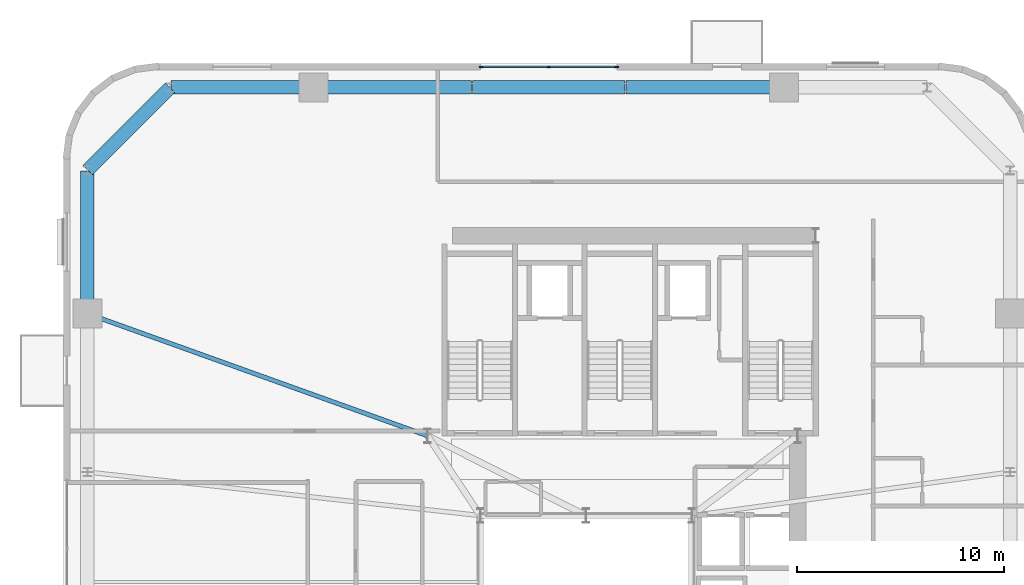
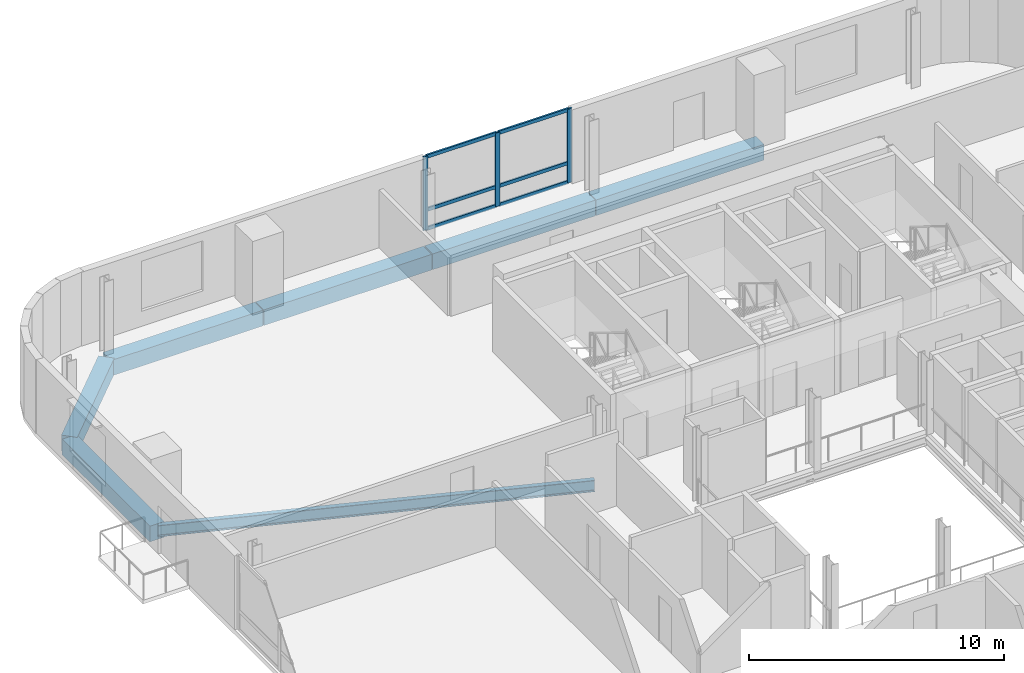
# One storey, part 6 of 16: 9 members, 7 beams, 1 element without a shape of its own.
"""IFC4 building model written with IfcOpenShell, lengths in metres."""

from ifc_helpers import new_model, si_unit, direction, frame, origin, origin_2d, place, context, subcontext, project, spatial, rectangle, i_section, extrude, source, transform, mapped, material, material_profile, profile_set, type_object, element, aggregate, save


model = new_model("IFC4")

# Units and contexts
model_context = context("Model", 3, precision=1e-05, world=origin(), true_north=direction((0.0, 1.0)))
body_context = subcontext(model_context, "Body", "Model", "MODEL_VIEW")
ifc_project = project(units=[si_unit("LENGTHUNIT", "METRE"), si_unit("AREAUNIT", "SQUARE_METRE"), si_unit("VOLUMEUNIT", "CUBIC_METRE"), si_unit("PLANEANGLEUNIT", "RADIAN"), si_unit("MASSUNIT", "GRAM", prefix="KILO")], contexts=[model_context])

# Site, building, storey
site_placement = place(None, origin())
site = spatial("IfcSite", under=ifc_project, at=site_placement, CompositionType="ELEMENT")
building_placement = place(site_placement, origin())
building = spatial("IfcBuilding", under=site, at=building_placement, Name="Vardaveli Station Tower", CompositionType="ELEMENT")
storey_placement = place(building_placement, frame((0.0, 0.0, 226.050048828125)))
storey = spatial("IfcBuildingStorey", under=building, at=storey_placement, Name="L58", CompositionType="ELEMENT", Elevation=226.050048828125)

# Beams
ifc_material_1 = material(Name="Precast concrete C45/55", Category="concrete")
ifc_material_profile_1 = material_profile(ifc_material_1, rectangle(XDim=0.64990234375, YDim=0.75, at=origin_2d()), Name="LPB 650x750")
ifc_profile_set_1 = profile_set([ifc_material_profile_1], Name="Precast concrete C45/55")
beam_type_1 = type_object("IfcBeamType", Name="BM-LPB-750", PredefinedType="BEAM", material=ifc_profile_set_1)
shared_shape_1 = source(origin(), body_context, "Body", "SweptSolid", [
    extrude(rectangle(XDim=0.64990234375, YDim=0.75, at=origin_2d()), origin(), (0.0, 0.0, 1.0), 7.60009765625),
])
for number, where, z_axis, x_axis, name in (
    (1, (45.820068359375, 47.449951171875, -0.594970703125), (-1.0, 0.0, 0.0), (0.0, -1.0, 0.0), "RBM-L58-13"),
    (2, (30.780029296875, 47.449951171875, -0.594970703125), (-1.0, 0.0, 0.0), (0.0, -1.0, 0.0), "RBM-L58-15"),
):
    element("IfcBeam", number, at=place(storey_placement, frame(where, z_axis=z_axis, x_axis=x_axis)), inside=storey, type_object=beam_type_1, Name=name, PredefinedType="BEAM", context=body_context, shape_type="MappedRepresentation", body=[
        mapped(shared_shape_1, transform((0.0, 0.0, 0.0), scale=1.0)),
    ])
shared_shape_2 = source(origin(), body_context, "Body", "SweptSolid", [
    extrude(rectangle(XDim=0.64990234375, YDim=0.75, at=origin_2d()), origin(), (0.0, 0.0, 1.0), 7.35986328125),
])
beam_1_placement = place(storey_placement, frame((38.179931640625, 47.449951171875, -0.594970703125), z_axis=(-1.0, 0.0, 0.0), x_axis=(0.0, -1.0, 0.0)))
element("IfcBeam", 3, at=beam_1_placement, inside=storey, type_object=beam_type_1, Name="RBM-L58-14", PredefinedType="BEAM", context=body_context, shape_type="MappedRepresentation", body=[
    mapped(shared_shape_2, transform((0.0, 0.0, 0.0), scale=1.0)),
])
shared_shape_3 = source(origin(), body_context, "Body", "SweptSolid", [
    extrude(rectangle(XDim=0.64990234375, YDim=0.75, at=origin_2d()), origin(), (0.0, 0.0, 1.0), 6.869873046875),
])
for number, where, z_axis, x_axis, name in (
    (4, (23.139892578125, 47.449951171875, -0.594970703125), (-1.0, 0.0, 0.0), (0.0, -1.0, 0.0), "RBM-L58-16"),
    (5, (12.25, 43.429931640625, -0.594970703125), (0.0, -1.0, 0.0), (1.0, 0.0, 0.0), "RBM-L58-18"),
):
    element("IfcBeam", number, at=place(storey_placement, frame(where, z_axis=z_axis, x_axis=x_axis)), inside=storey, type_object=beam_type_1, Name=name, PredefinedType="BEAM", context=body_context, shape_type="MappedRepresentation", body=[
        mapped(shared_shape_3, transform((0.0, 0.0, 0.0), scale=1.0)),
    ])
shared_shape_4 = source(origin(), body_context, "Body", "SweptSolid", [
    extrude(rectangle(XDim=0.64990234375, YDim=0.75, at=origin_2d()), origin(), (0.0, 0.0, 1.0), 5.61669921875),
])
beam_2_placement = place(storey_placement, frame((16.23583984375, 47.435791015625, -0.594970703125), z_axis=(-0.707106781187, -0.707106781187, 0.0), x_axis=(0.707106781187, -0.707106781187, 0.0)))
element("IfcBeam", 6, at=beam_2_placement, inside=storey, type_object=beam_type_1, Name="RBM-L58-17", PredefinedType="BEAM", context=body_context, shape_type="MappedRepresentation", body=[
    mapped(shared_shape_4, transform((0.0, 0.0, 0.0), scale=1.0)),
])
ifc_material_2 = material(Name="Structural steel S355J2", Category="steel")
ifc_material_profile_2 = material_profile(ifc_material_2, i_section(OverallWidth=0.2099609375, OverallDepth=0.550048828125, WebThickness=0.010986328125, FlangeThickness=0.01708984375, FilletRadius=0.02392578125, at=origin_2d()), Name="IPE 550")
ifc_profile_set_2 = profile_set([ifc_material_profile_2], Name="Structural steel S355J2")
beam_type_2 = type_object("IfcBeamType", Name="BM-IPE550", PredefinedType="BEAM", material=ifc_profile_set_2)
shared_shape_5 = source(origin(), body_context, "Body", "SweptSolid", [
    extrude(i_section(OverallWidth=0.2099609375, OverallDepth=0.550048828125, WebThickness=0.010986328125, FlangeThickness=0.01708984375, FilletRadius=0.02392578125, at=origin_2d()), origin(), (0.0, 0.0, 1.0), 17.385498046875),
])
beam_3_placement = place(storey_placement, frame((12.268798828125, 36.533203125, -0.4951171875), z_axis=(0.941143134401, -0.338008284766, 0.0), x_axis=(0.338008284766, 0.941143134401, 0.0)))
element("IfcBeam", 7, at=beam_3_placement, inside=storey, type_object=beam_type_2, Name="GBM-L58-12", PredefinedType="BEAM", context=body_context, shape_type="MappedRepresentation", body=[
    mapped(shared_shape_5, transform((0.0, 0.0, 0.0), scale=1.0)),
])

# Curtain wall, members
ifc_material_3 = material(Name="Travertine stone and solar-control glass", Category="masonry")
curtain_wall_type = type_object("IfcCurtainWallType", Name="CW-SYS-5", PredefinedType="NOTDEFINED", material=ifc_material_3)
curtain_wall_placement = place(storey_placement, origin())
curtain_wall = element("IfcCurtainWall", 8, at=curtain_wall_placement, inside=storey, type_object=curtain_wall_type, Name="CW-L58-N", PredefinedType="NOTDEFINED")
ifc_material_4 = material(Name="Anodised aluminium alloy 6063-T6", Category="aluminium")
ifc_material_profile_3 = material_profile(ifc_material_4, rectangle(XDim=0.080078125, YDim=0.1650390625, at=origin_2d()), Name="CWT 80x165")
ifc_profile_set_3 = profile_set([ifc_material_profile_3], Name="Anodised aluminium alloy 6063-T6")
member_type_1 = type_object("IfcMemberType", Name="CW-SYS-5-TRAN", PredefinedType="NOTDEFINED", material=ifc_profile_set_3)
shared_shape_6 = source(origin(), body_context, "Body", "SweptSolid", [
    extrude(rectangle(XDim=0.080078125, YDim=0.1650390625, at=origin_2d()), origin(), (0.0, 0.0, 1.0), 3.179931640625),
])
member_1_placement = place(storey_placement, frame((37.719970703125, 48.43994140625, 0.0400390625), z_axis=(-1.0, 0.0, 0.0), x_axis=(0.0, -1.0, 0.0)))
member_1 = element("IfcMember", 9, at=member_1_placement, type_object=member_type_1, Name="CW-5 transom 1.1", ObjectType="TRANSOM", PredefinedType="USERDEFINED", context=body_context, shape_type="MappedRepresentation", body=[
    mapped(shared_shape_6, transform((0.0, 0.0, 0.0), scale=1.0)),
])
member_2_placement = place(storey_placement, frame((37.719970703125, 48.43994140625, 0.949951171875), z_axis=(-1.0, 0.0, 0.0), x_axis=(0.0, -1.0, 0.0)))
member_2 = element("IfcMember", 10, at=member_2_placement, type_object=member_type_1, Name="CW-5 transom 1.2", ObjectType="TRANSOM", PredefinedType="USERDEFINED", context=body_context, shape_type="MappedRepresentation", body=[
    mapped(shared_shape_6, transform((0.0, 0.0, 0.0), scale=1.0)),
])
member_3_placement = place(storey_placement, frame((37.719970703125, 48.43994140625, 3.489990234375), z_axis=(-1.0, 0.0, 0.0), x_axis=(0.0, -1.0, 0.0)))
member_3 = element("IfcMember", 11, at=member_3_placement, type_object=member_type_1, Name="CW-5 transom 1.3", ObjectType="TRANSOM", PredefinedType="USERDEFINED", context=body_context, shape_type="MappedRepresentation", body=[
    mapped(shared_shape_6, transform((0.0, 0.0, 0.0), scale=1.0)),
])
member_4_placement = place(storey_placement, frame((34.4599609375, 48.43994140625, 0.0400390625), z_axis=(-1.0, 0.0, 0.0), x_axis=(0.0, -1.0, 0.0)))
member_4 = element("IfcMember", 12, at=member_4_placement, type_object=member_type_1, Name="CW-5 transom 2.1", ObjectType="TRANSOM", PredefinedType="USERDEFINED", context=body_context, shape_type="MappedRepresentation", body=[
    mapped(shared_shape_6, transform((0.0, 0.0, 0.0), scale=1.0)),
])
member_5_placement = place(storey_placement, frame((34.4599609375, 48.43994140625, 0.949951171875), z_axis=(-1.0, 0.0, 0.0), x_axis=(0.0, -1.0, 0.0)))
member_5 = element("IfcMember", 13, at=member_5_placement, type_object=member_type_1, Name="CW-5 transom 2.2", ObjectType="TRANSOM", PredefinedType="USERDEFINED", context=body_context, shape_type="MappedRepresentation", body=[
    mapped(shared_shape_6, transform((0.0, 0.0, 0.0), scale=1.0)),
])
member_6_placement = place(storey_placement, frame((34.4599609375, 48.43994140625, 3.489990234375), z_axis=(-1.0, 0.0, 0.0), x_axis=(0.0, -1.0, 0.0)))
member_6 = element("IfcMember", 14, at=member_6_placement, type_object=member_type_1, Name="CW-5 transom 2.3", ObjectType="TRANSOM", PredefinedType="USERDEFINED", context=body_context, shape_type="MappedRepresentation", body=[
    mapped(shared_shape_6, transform((0.0, 0.0, 0.0), scale=1.0)),
])
ifc_material_profile_4 = material_profile(ifc_material_4, rectangle(XDim=0.080078125, YDim=0.205078125, at=origin_2d()), Name="CWM 80x205")
ifc_profile_set_4 = profile_set([ifc_material_profile_4], Name="Anodised aluminium alloy 6063-T6")
member_type_2 = type_object("IfcMemberType", Name="CW-SYS-5-MULL", PredefinedType="MULLION", material=ifc_profile_set_4)
shared_shape_7 = source(origin(), body_context, "Body", "SweptSolid", [
    extrude(rectangle(XDim=0.080078125, YDim=0.205078125, at=origin_2d()), origin(), (0.0, 0.0, 1.0), 3.530029296875),
])
member_7_placement = place(storey_placement, frame((37.760009765625, 48.43994140625, 0.0), z_axis=(0.0, 0.0, 1.0), x_axis=(0.0, -1.0, 0.0)))
member_7 = element("IfcMember", 15, at=member_7_placement, type_object=member_type_2, Name="CW-5 mullion 1", PredefinedType="MULLION", context=body_context, shape_type="MappedRepresentation", body=[
    mapped(shared_shape_7, transform((0.0, 0.0, 0.0), scale=1.0)),
])
member_8_placement = place(storey_placement, frame((34.5, 48.43994140625, 0.0), z_axis=(0.0, 0.0, 1.0), x_axis=(0.0, -1.0, 0.0)))
member_8 = element("IfcMember", 16, at=member_8_placement, type_object=member_type_2, Name="CW-5 mullion 2", PredefinedType="MULLION", context=body_context, shape_type="MappedRepresentation", body=[
    mapped(shared_shape_7, transform((0.0, 0.0, 0.0), scale=1.0)),
])
member_9_placement = place(storey_placement, frame((31.239990234375, 48.43994140625, 0.0), z_axis=(0.0, 0.0, 1.0), x_axis=(0.0, -1.0, 0.0)))
member_9 = element("IfcMember", 17, at=member_9_placement, type_object=member_type_2, Name="CW-5 mullion 3", PredefinedType="MULLION", context=body_context, shape_type="MappedRepresentation", body=[
    mapped(shared_shape_7, transform((0.0, 0.0, 0.0), scale=1.0)),
])
aggregate(curtain_wall, [member_7, member_8, member_9, member_1, member_2, member_3, member_4, member_5, member_6])

save(model, "model.ifc")
